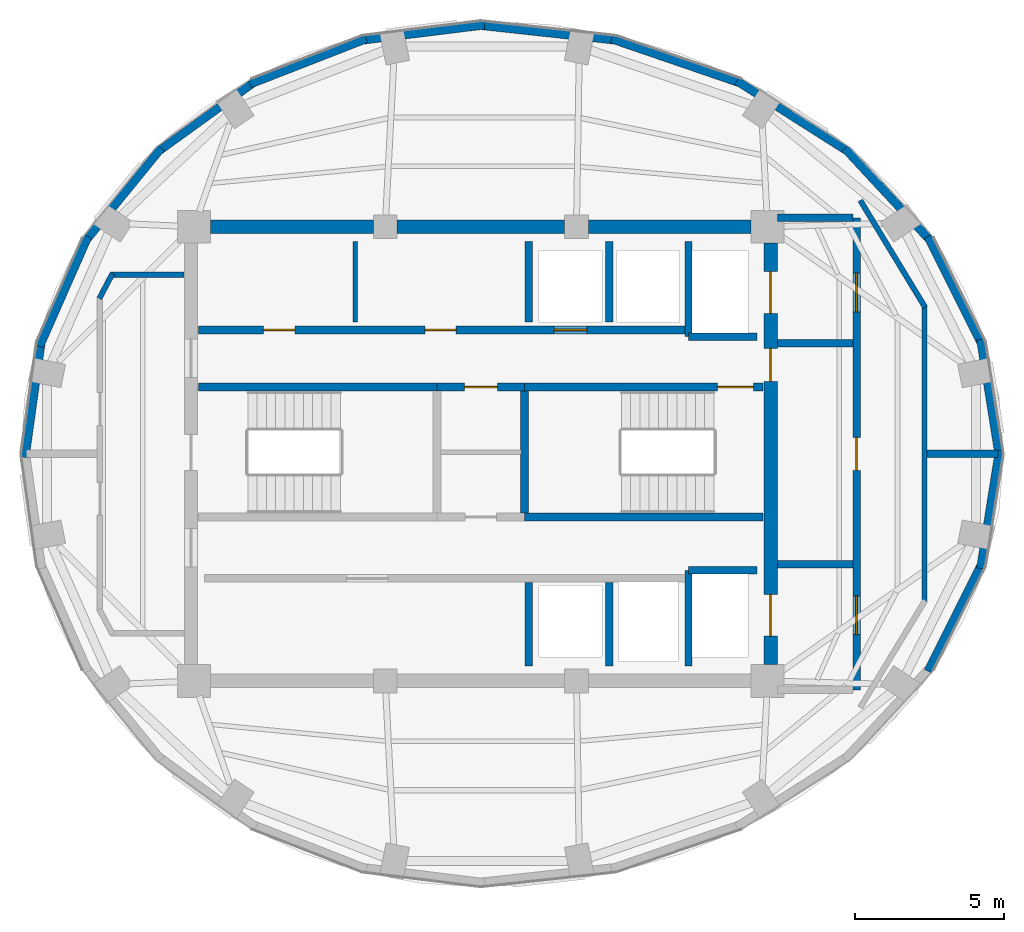
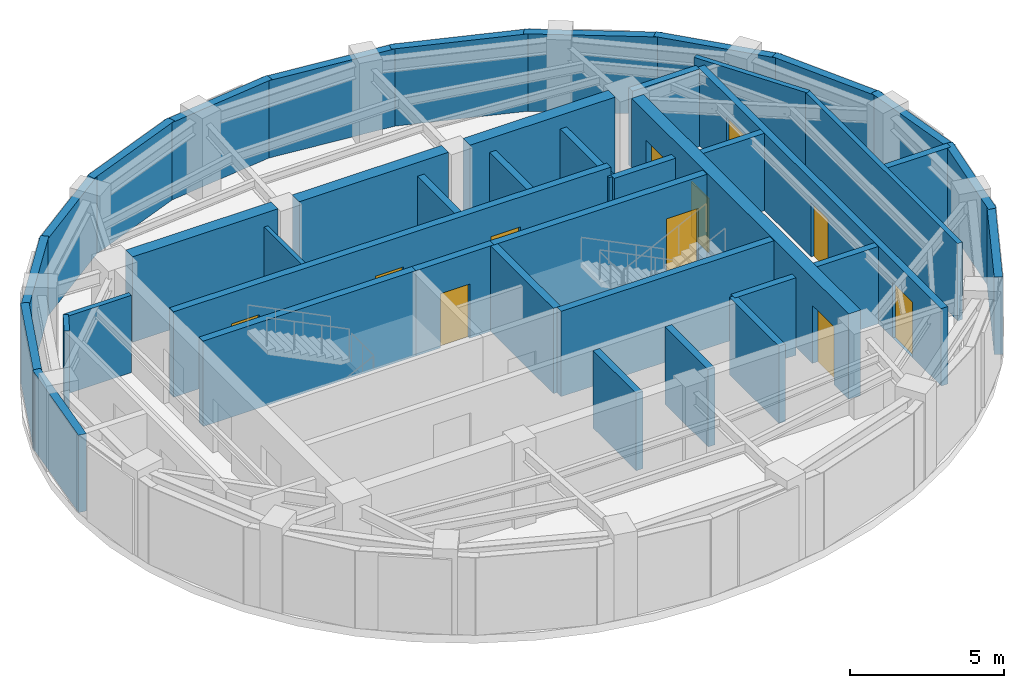
# One storey, part 3 of 5: 42 walls, 11 doors, 11 openings.
"""IFC4 building model written with IfcOpenShell, lengths in metres."""

import ifcopenshell
import ifcopenshell.guid

model = None  # the IFC model being written
_history = None  # IfcOwnerHistory: only IFC2X3 demands one
_inside = {}  # id of a spatial element -> (the spatial element, [elements in it])
_under = {}  # id of a project, library or spatial element -> (it, [spatial elements below it])
_declared = {}  # id of a project -> (the project, [libraries it declares])
_typed = {}  # id of a type object -> (the type object, [elements of that type])
_made_of = {}  # id of a material, layer set ... -> (it, [elements and type objects made of it])


def new_model(schema):
    """Start an empty IFC model of exactly this schema.

    Asked for "IFC4X3", IfcOpenShell would pick the latest addendum, in which some entities
    have other attributes; the version numbers below select the first issue.
    IFC2X3 requires an IfcOwnerHistory on every rooted entity: one is made here for all.
    """
    global model, _history
    if schema == "IFC4X3":
        model = ifcopenshell.file(schema_version=(4, 3, 0, 0))
    else:
        model = ifcopenshell.file(schema=schema)
    _inside.clear()
    _under.clear()
    _declared.clear()
    _typed.clear()
    _made_of.clear()
    _history = None
    if model.schema == "IFC2X3":
        org = make("IfcOrganization", Name="unknown")
        user = make(
            "IfcPersonAndOrganization",
            ThePerson=make("IfcPerson", FamilyName="unknown"),
            TheOrganization=org,
        )
        app = make(
            "IfcApplication",
            ApplicationDeveloper=org,
            Version="unknown",
            ApplicationFullName="unknown",
            ApplicationIdentifier="unknown",
        )
        _history = make(
            "IfcOwnerHistory",
            OwningUser=user,
            OwningApplication=app,
            ChangeAction="ADDED",
            CreationDate=0,
        )
    return model


def make(cls, **values):
    """One entity of the class cls with the attributes given. An attribute that is None is left unset."""
    return model.create_entity(
        cls, **{name: value for name, value in values.items() if value is not None}
    )


def rooted(cls, **values):
    """An entity with a GlobalId (a new one), such as an element, a storey or a relation."""
    return make(cls, GlobalId=ifcopenshell.guid.new(), OwnerHistory=_history, **values)


def si_unit(unit_type, name, prefix=None):
    """IfcSIUnit, for example si_unit("LENGTHUNIT", "METRE", prefix="MILLI")."""
    return make("IfcSIUnit", UnitType=unit_type, Prefix=prefix, Name=name)


def assignment(units):
    """IfcUnitAssignment: the units of a project."""
    return None if units is None else make("IfcUnitAssignment", Units=units)


def point(xyz):
    """IfcCartesianPoint."""
    return None if xyz is None else make("IfcCartesianPoint", Coordinates=xyz)


def direction(xyz):
    """IfcDirection."""
    return None if xyz is None else make("IfcDirection", DirectionRatios=xyz)


def frame(location, z_axis=None, x_axis=None):
    """IfcAxis2Placement3D, a coordinate frame: its origin and axes. An axis left out is left unset."""
    return make(
        "IfcAxis2Placement3D",
        Location=point(location),
        Axis=direction(z_axis),
        RefDirection=direction(x_axis),
    )


def frame_2d(location, x_axis=None):
    """IfcAxis2Placement2D, a coordinate frame in the plane: its origin and x axis."""
    return make(
        "IfcAxis2Placement2D", Location=point(location), RefDirection=direction(x_axis)
    )


def origin():
    """The frame at (0, 0, 0) with its axes left unset."""
    return frame((0.0, 0.0, 0.0))


def place(relative_to, where):
    """IfcLocalPlacement: puts the frame where relative to a parent placement (None: the world)."""
    return make(
        "IfcLocalPlacement", PlacementRelTo=relative_to, RelativePlacement=where
    )


def context(
    kind, dimensions, precision=None, world=None, true_north=None, identifier=None
):
    """IfcGeometricRepresentationContext, for example the 3D "Model" context."""
    return make(
        "IfcGeometricRepresentationContext",
        ContextIdentifier=identifier,
        ContextType=kind,
        CoordinateSpaceDimension=dimensions,
        Precision=precision,
        WorldCoordinateSystem=world,
        TrueNorth=true_north,
    )


def subcontext(parent, identifier, kind, view, scale=None):
    """IfcGeometricRepresentationSubContext, for example "Body" below "Model"."""
    return make(
        "IfcGeometricRepresentationSubContext",
        ContextIdentifier=identifier,
        ContextType=kind,
        ParentContext=parent,
        TargetScale=scale,
        TargetView=view,
    )


def project(units=None, contexts=None):
    """IfcProject with its units and contexts."""
    return rooted(
        "IfcProject",
        Name="project",
        RepresentationContexts=contexts,
        UnitsInContext=assignment(units),
    )


def spatial(cls, under=None, at=None, **own):
    """A site, building, storey or space (cls), placed at a placement, below another one or the project."""
    s = rooted(cls, ObjectPlacement=at, **own)
    if under is not None:
        _under.setdefault(under.id(), (under, []))[1].append(s)
    return s


def profile(cls, at=None, kind="AREA", **sizes):
    """A parametric profile (cls). Its sizes go by their IFC names, for example OverallWidth=200.0."""
    return make(cls, ProfileType=kind, Position=at, **sizes)


def rectangle(**sizes):
    """IfcRectangleProfileDef."""
    return profile("IfcRectangleProfileDef", **sizes)


def extrude(swept, where, along, depth):
    """IfcExtrudedAreaSolid: the profile swept, set in the frame where, extruded along a direction by depth."""
    return make(
        "IfcExtrudedAreaSolid",
        SweptArea=swept,
        Position=where,
        ExtrudedDirection=direction(along),
        Depth=depth,
    )


def shape(context_of_items, identifier, shape_type, items):
    """IfcShapeRepresentation: the items that make up one representation, for example the "Body"."""
    return make(
        "IfcShapeRepresentation",
        ContextOfItems=context_of_items,
        RepresentationIdentifier=identifier,
        RepresentationType=shape_type,
        Items=items,
    )


def material(Name=None, Category=None):
    """IfcMaterial."""
    return make("IfcMaterial", Name=Name, Category=Category)


def layer(
    of_material, thickness, ventilated=None, Name=None, Category=None, Priority=None
):
    """IfcMaterialLayer: one layer of a wall or slab, of a material (None: an air gap)."""
    return make(
        "IfcMaterialLayer",
        Material=of_material,
        LayerThickness=thickness,
        IsVentilated=ventilated,
        Name=Name,
        Category=Category,
        Priority=Priority,
    )


def layer_set(layers, Name=None):
    """IfcMaterialLayerSet."""
    return make("IfcMaterialLayerSet", MaterialLayers=layers, LayerSetName=Name)


def made_of(thing, what):
    """Note that an element or type object is made of a material, layer set ...; save() writes the relation."""
    if what is not None:
        _made_of.setdefault(what.id(), (what, []))[1].append(thing)
    return thing


def type_object(cls, material=None, **own):
    """A type object (cls), such as IfcWallType, which elements share."""
    return made_of(rooted(cls, **own), material)


def element(
    cls,
    number,
    at=None,
    inside=None,
    cuts=None,
    type_object=None,
    material=None,
    context=None,
    identifier="Body",
    shape_type=None,
    held_by="IfcProductDefinitionShape",
    body=None,
    shapes=None,
    **own,
):
    """One element of the class cls, such as IfcWall. Its Tag is "e" and its number.

    at: its placement. inside: the storey or other place that contains it. cuts: it is an
    opening in that element (IfcRelVoidsElement). A single representation is given by context,
    identifier, shape_type and body (its items); several are given by shapes. held_by: the class
    of the entity that holds the representations. save() writes the other relations.
    """
    e = rooted(cls, Tag="e%d" % number, ObjectPlacement=at, **own)
    if body is not None:
        shapes = [shape(context, identifier, shape_type, body)]
    if shapes is not None:
        e.Representation = make(held_by, Representations=shapes)
    if inside is not None:
        _inside.setdefault(inside.id(), (inside, []))[1].append(e)
    if cuts is not None:
        rooted(
            "IfcRelVoidsElement", RelatingBuildingElement=cuts, RelatedOpeningElement=e
        )
    if type_object is not None:
        _typed.setdefault(type_object.id(), (type_object, []))[1].append(e)
    return made_of(e, material)


def fill(opening, filler):
    """IfcRelFillsElement: the door or window that sits in an opening."""
    return rooted(
        "IfcRelFillsElement",
        RelatingOpeningElement=opening,
        RelatedBuildingElement=filler,
    )


def aggregate(whole, parts):
    """IfcRelAggregates: a whole, such as a stair, and the parts it consists of."""
    return rooted("IfcRelAggregates", RelatingObject=whole, RelatedObjects=parts)


def save(model, path):
    """Write the relations noted so far, then the file.

    IfcRelAggregates (storeys below a building ...), IfcRelContainedInSpatialStructure (elements
    in a storey), IfcRelDefinesByType, IfcRelAssociatesMaterial and IfcRelDeclares: one each for
    every whole, place, type object, material and project.
    """
    for whole, parts in _under.values():
        aggregate(whole, parts)
    for where, things in _inside.values():
        rooted(
            "IfcRelContainedInSpatialStructure",
            RelatedElements=things,
            RelatingStructure=where,
        )
    for kind, things in _typed.values():
        rooted("IfcRelDefinesByType", RelatedObjects=things, RelatingType=kind)
    for what, things in _made_of.values():
        rooted("IfcRelAssociatesMaterial", RelatedObjects=things, RelatingMaterial=what)
    for by, libraries in _declared.values():
        rooted("IfcRelDeclares", RelatingContext=by, RelatedDefinitions=libraries)
    model.write(path)


model = new_model("IFC4")

# Units and contexts
model_context = context("Model", 3, precision=1e-05, world=origin(), true_north=direction((0.0, 1.0)))
body_context = subcontext(model_context, "Body", "Model", "MODEL_VIEW")
ifc_project = project(units=[si_unit("LENGTHUNIT", "METRE"), si_unit("AREAUNIT", "SQUARE_METRE"), si_unit("VOLUMEUNIT", "CUBIC_METRE"), si_unit("PLANEANGLEUNIT", "RADIAN"), si_unit("MASSUNIT", "GRAM", prefix="KILO")], contexts=[model_context])

# Site, building, storey
site_placement = place(None, origin())
site = spatial("IfcSite", under=ifc_project, at=site_placement, CompositionType="ELEMENT")
building_placement = place(site_placement, origin())
building = spatial("IfcBuilding", under=site, at=building_placement, Name="Lazwardi Medical Tower", CompositionType="ELEMENT")
storey_placement = place(building_placement, frame((0.0, 0.0, 302.447998046875)))
storey = spatial("IfcBuildingStorey", under=building, at=storey_placement, Name="L79", CompositionType="ELEMENT", Elevation=302.447998046875)

# Walls
ifc_material_1 = material(Name="Fire-rated gypsum board on steel stud", Category="steel")
ifc_layer_1 = layer(ifc_material_1, 0.179931640625)
ifc_layer_set_1 = layer_set([ifc_layer_1], Name="Fire-rated gypsum board on steel stud")
wall_type_1 = type_object("IfcWallType", Name="WL-COR-180", PredefinedType="PARTITIONING", material=ifc_layer_set_1)
wall_1_placement = place(storey_placement, frame((48.69921875, 36.484619140625, 0.0), z_axis=(0.0, 0.0, 1.0), x_axis=(0.518614420457, -0.855008235571, 0.0)))
element("IfcWall", 1, at=wall_1_placement, inside=storey, type_object=wall_type_1, Name="L79 Corridor partition 1", PredefinedType="PARTITIONING", context=body_context, shape_type="SweptSolid", body=[
    extrude(rectangle(XDim=4.18701171875, YDim=0.179931640625, at=frame_2d((2.093505859375, 0.0))), origin(), (0.0, 0.0, 1.0), 3.068115234375),
])
wall_2_placement = place(storey_placement, frame((50.85009765625, 32.97900390625, 0.0), z_axis=(0.0, 0.0, 1.0), x_axis=(0.0, -1.0, 0.0)))
element("IfcWall", 2, at=wall_2_placement, inside=storey, type_object=wall_type_1, Name="L79 Corridor partition 2", PredefinedType="PARTITIONING", context=body_context, shape_type="SweptSolid", body=[
    extrude(rectangle(XDim=9.9580078125, YDim=0.179931640625, at=frame_2d((4.97900390625, 0.0))), origin(), (0.0, 0.0, 1.0), 3.068115234375),
])
wall_3_placement = place(storey_placement, frame((23.231201171875, 33.19921875, 0.0), z_axis=(0.0, 0.0, 1.0), x_axis=(0.466427533163, 0.884559413667, 0.0)))
element("IfcWall", 3, at=wall_3_placement, inside=storey, type_object=wall_type_1, Name="L79 Corridor partition 7", PredefinedType="PARTITIONING", context=body_context, shape_type="SweptSolid", body=[
    extrude(rectangle(XDim=0.9453125, YDim=0.179931640625, at=frame_2d((0.47265625, 0.0))), origin(), (0.0, 0.0, 1.0), 3.068115234375),
])
wall_4_placement = place(storey_placement, frame((23.613525390625, 34.0, 0.0), z_axis=(0.0, 0.0, 1.0), x_axis=(1.0, 0.0, 0.0)))
element("IfcWall", 4, at=wall_4_placement, inside=storey, type_object=wall_type_1, Name="L79 Corridor partition 8", PredefinedType="PARTITIONING", context=body_context, shape_type="SweptSolid", body=[
    extrude(rectangle(XDim=2.446533203125, YDim=0.179931640625, at=frame_2d((1.22314453125, 0.0))), origin(), (0.0, 0.0, 1.0), 3.068115234375),
])

# Wall, openings, doors
ifc_material_2 = material(Name="Concrete C60/75", Category="concrete")
ifc_layer_2 = layer(ifc_material_2, 0.449951171875)
ifc_layer_set_2 = layer_set([ifc_layer_2], Name="Concrete C60/75")
wall_type_2 = type_object("IfcWallType", Name="WL-CORE-450", PredefinedType="SHEAR", material=ifc_layer_set_2)
wall_5_placement = place(storey_placement, frame((45.699951171875, 20.949951171875, 0.0), z_axis=(0.0, 0.0, 1.0), x_axis=(0.0, 1.0, 0.0)))
wall_5 = element("IfcWall", 5, at=wall_5_placement, inside=storey, type_object=wall_type_2, Name="Core wall CW-S4 east L79", PredefinedType="SHEAR", context=body_context, shape_type="SweptSolid", body=[
    extrude(rectangle(XDim=14.10009765625, YDim=0.449951171875, at=frame_2d((7.050048828125, 0.0))), origin(), (0.0, 0.0, 1.0), 3.387939453125),
])
opening_1_placement = place(wall_5_placement, frame((11.75, 0.0, 0.0)))
opening_1 = element("IfcOpeningElement", 6, at=opening_1_placement, cuts=wall_5, Name="Opening LD-L79-001", PredefinedType="OPENING", context=body_context, shape_type="SweptSolid", body=[
    extrude(rectangle(XDim=1.39990234375, YDim=2.300048828125, at=frame_2d((0.699951171875, 1.14990234375))), frame((0.0, 0.23486328125, 0.0), z_axis=(0.0, -1.0, 0.0), x_axis=(1.0, 0.0, 0.0)), (0.0, 0.0, 1.0), 0.469970703125),
])
opening_2_placement = place(wall_5_placement, frame((0.949951171875, 0.0, 0.0)))
opening_2 = element("IfcOpeningElement", 7, at=opening_2_placement, cuts=wall_5, Name="Opening LD-L79-002", PredefinedType="OPENING", context=body_context, shape_type="SweptSolid", body=[
    extrude(rectangle(XDim=1.39990234375, YDim=2.300048828125, at=frame_2d((0.699951171875, 1.14990234375))), frame((0.0, 0.23486328125, 0.0), z_axis=(0.0, -1.0, 0.0), x_axis=(1.0, 0.0, 0.0)), (0.0, 0.0, 1.0), 0.469970703125),
])
opening_3_placement = place(wall_5_placement, frame((9.47998046875, 0.0, 0.0)))
opening_3 = element("IfcOpeningElement", 8, at=opening_3_placement, cuts=wall_5, Name="Opening D-L79-009", PredefinedType="OPENING", context=body_context, shape_type="SweptSolid", body=[
    extrude(rectangle(XDim=1.10009765625, YDim=2.14990234375, at=frame_2d((0.550048828125, 1.074951171875))), frame((0.0, 0.23486328125, 0.0), z_axis=(0.0, -1.0, 0.0), x_axis=(1.0, 0.0, 0.0)), (0.0, 0.0, 1.0), 0.469970703125),
])
ifc_material_3 = material(Name="Brushed stainless steel bed-lift landing door", Category="steel")
door_type_1 = type_object("IfcDoorType", Name="DR-LFT-1400", OperationType="NOTDEFINED", PredefinedType="DOOR", material=ifc_material_3)
door_1_placement = place(opening_1_placement, origin())
door_1 = element("IfcDoor", 9, at=door_1_placement, inside=storey, type_object=door_type_1, Name="L79 Lift Landing Door FL-01", OperationType="SLIDING_TO_LEFT", OverallHeight=2.300048828125, OverallWidth=1.39990234375, PredefinedType="DOOR", context=body_context, shape_type="SweptSolid", body=[
    extrude(rectangle(XDim=1.39990234375, YDim=2.300048828125, at=frame_2d((0.699951171875, 1.14990234375))), frame((0.0, 0.02490234375, 0.0), z_axis=(0.0, -1.0, 0.0), x_axis=(1.0, 0.0, 0.0)), (0.0, 0.0, 1.0), 0.050048828125),
])
fill(opening_1, door_1)
door_2_placement = place(opening_2_placement, origin())
door_2 = element("IfcDoor", 10, at=door_2_placement, inside=storey, type_object=door_type_1, Name="L79 Lift Landing Door FL-02", OperationType="SLIDING_TO_LEFT", OverallHeight=2.300048828125, OverallWidth=1.39990234375, PredefinedType="DOOR", context=body_context, shape_type="SweptSolid", body=[
    extrude(rectangle(XDim=1.39990234375, YDim=2.300048828125, at=frame_2d((0.699951171875, 1.14990234375))), frame((0.0, 0.02490234375, 0.0), z_axis=(0.0, -1.0, 0.0), x_axis=(1.0, 0.0, 0.0)), (0.0, 0.0, 1.0), 0.050048828125),
])
fill(opening_2, door_2)
ifc_material_4 = material(Name="Fire-rated steel leaf and frame", Category="steel")
door_type_2 = type_object("IfcDoorType", Name="DR-PLT-1100", OperationType="NOTDEFINED", PredefinedType="DOOR", material=ifc_material_4)
door_3_placement = place(opening_3_placement, origin())
door_3 = element("IfcDoor", 11, at=door_3_placement, inside=storey, type_object=door_type_2, Name="L79 Core Plant Lobby Transfer Door", OperationType="SINGLE_SWING_RIGHT", OverallHeight=2.14990234375, OverallWidth=1.10009765625, PredefinedType="DOOR", context=body_context, shape_type="SweptSolid", body=[
    extrude(rectangle(XDim=1.10009765625, YDim=2.14990234375, at=frame_2d((0.550048828125, 1.074951171875))), frame((0.0, 0.02490234375, 0.0), z_axis=(0.0, -1.0, 0.0), x_axis=(1.0, 0.0, 0.0)), (0.0, 0.0, 1.0), 0.050048828125),
])
fill(opening_3, door_3)

# Walls
wall_6_placement = place(storey_placement, frame((26.949951171875, 35.60009765625, 0.0), z_axis=(0.0, 0.0, 1.0), x_axis=(1.0, 0.0, 0.0)))
element("IfcWall", 12, at=wall_6_placement, inside=storey, type_object=wall_type_2, Name="Core wall CW-S4 N1 L79", PredefinedType="SHEAR", context=body_context, shape_type="SweptSolid", body=[
    extrude(rectangle(XDim=5.449951171875, YDim=0.449951171875, at=frame_2d((2.72509765625, 0.0))), origin(), (0.0, 0.0, 1.0), 3.387939453125),
])
wall_7_placement = place(storey_placement, frame((33.199951171875, 35.60009765625, 0.0), z_axis=(0.0, 0.0, 1.0), x_axis=(1.0, 0.0, 0.0)))
element("IfcWall", 13, at=wall_7_placement, inside=storey, type_object=wall_type_2, Name="Core wall CW-S4 N2 L79", PredefinedType="SHEAR", context=body_context, shape_type="SweptSolid", body=[
    extrude(rectangle(XDim=5.60009765625, YDim=0.449951171875, at=frame_2d((2.800048828125, 0.0))), origin(), (0.0, 0.0, 1.0), 3.387939453125),
])
wall_8_placement = place(storey_placement, frame((39.60009765625, 35.60009765625, 0.0), z_axis=(0.0, 0.0, 1.0), x_axis=(1.0, 0.0, 0.0)))
element("IfcWall", 14, at=wall_8_placement, inside=storey, type_object=wall_type_2, Name="Core wall CW-S4 N3 L79", PredefinedType="SHEAR", context=body_context, shape_type="SweptSolid", body=[
    extrude(rectangle(XDim=5.449951171875, YDim=0.449951171875, at=frame_2d((2.72509765625, 0.0))), origin(), (0.0, 0.0, 1.0), 3.387939453125),
])
ifc_material_5 = material(Name="Precast concrete C45/55", Category="concrete")
ifc_layer_3 = layer(ifc_material_5, 0.280029296875)
ifc_layer_set_3 = layer_set([ifc_layer_3], Name="Precast concrete C45/55")
wall_type_3 = type_object("IfcWallType", Name="WL-DRUM-280", PredefinedType="SOLIDWALL", material=ifc_layer_set_3)
wall_9_placement = place(storey_placement, frame((50.963134765625, 20.72265625, 0.0), z_axis=(0.0, 0.0, 1.0), x_axis=(0.447855311217, 0.894106045285, 0.0)))
element("IfcWall", 15, at=wall_9_placement, inside=storey, type_object=wall_type_3, Name="L79 Crown Plant Drum Wall 05", PredefinedType="SOLIDWALL", context=body_context, shape_type="SweptSolid", body=[
    extrude(rectangle(XDim=4.108154296875, YDim=0.280029296875, at=frame_2d((2.05419921875, 0.0))), origin(), (0.0, 0.0, 1.0), 3.068115234375),
])
for number, where, z_axis, x_axis, name in (
    (16, (52.730224609375, 24.169921875, 0.0), (0.0, 0.0, 1.0), (0.157235511094, 0.987561134336, 0.0), "L79 Crown Plant Drum Wall 06"),
    (17, (53.35888671875, 27.881591796875, 0.0), (0.0, 0.0, 1.0), (-0.157235511094, 0.987561134336, 0.0), "L79 Crown Plant Drum Wall 07"),
):
    element("IfcWall", number, at=place(storey_placement, frame(where, z_axis=z_axis, x_axis=x_axis)), inside=storey, type_object=wall_type_3, Name=name, PredefinedType="SOLIDWALL", context=body_context, shape_type="SweptSolid", body=[
        extrude(rectangle(XDim=3.998291015625, YDim=0.280029296875, at=frame_2d((1.9990234375, 0.0))), origin(), (0.0, 0.0, 1.0), 3.068115234375),
    ])
wall_10_placement = place(storey_placement, frame((52.802978515625, 31.604248046875, 0.0), z_axis=(0.0, 0.0, 1.0), x_axis=(-0.447855311217, 0.894106045285, 0.0)))
element("IfcWall", 18, at=wall_10_placement, inside=storey, type_object=wall_type_3, Name="L79 Crown Plant Drum Wall 08", PredefinedType="SOLIDWALL", context=body_context, shape_type="SweptSolid", body=[
    extrude(rectangle(XDim=4.108154296875, YDim=0.280029296875, at=frame_2d((2.05419921875, 0.0))), origin(), (0.0, 0.0, 1.0), 3.068115234375),
])
wall_11_placement = place(storey_placement, frame((51.098388671875, 35.08203125, 0.0), z_axis=(0.0, 0.0, 1.0), x_axis=(-0.680156447476, 0.733066986678, 0.0)))
element("IfcWall", 19, at=wall_11_placement, inside=storey, type_object=wall_type_3, Name="L79 Crown Plant Drum Wall 09", PredefinedType="SOLIDWALL", context=body_context, shape_type="SweptSolid", body=[
    extrude(rectangle(XDim=4.291259765625, YDim=0.280029296875, at=frame_2d((2.1455078125, 0.0))), origin(), (0.0, 0.0, 1.0), 3.068115234375),
])
wall_12_placement = place(storey_placement, frame((48.362548828125, 38.07568359375, 0.0), z_axis=(0.0, 0.0, 1.0), x_axis=(-0.84435210997, 0.535788684454, 0.0)))
element("IfcWall", 20, at=wall_12_placement, inside=storey, type_object=wall_type_3, Name="L79 Crown Plant Drum Wall 10", PredefinedType="SOLIDWALL", context=body_context, shape_type="SweptSolid", body=[
    extrude(rectangle(XDim=4.493408203125, YDim=0.280029296875, at=frame_2d((2.24658203125, 0.0))), origin(), (0.0, 0.0, 1.0), 3.068115234375),
])
wall_13_placement = place(storey_placement, frame((44.783447265625, 40.3798828125, 0.0), z_axis=(0.0, 0.0, 1.0), x_axis=(-0.946020767408, 0.324106012955, 0.0)))
element("IfcWall", 21, at=wall_13_placement, inside=storey, type_object=wall_type_3, Name="L79 Crown Plant Drum Wall 11", PredefinedType="SOLIDWALL", context=body_context, shape_type="SweptSolid", body=[
    extrude(rectangle(XDim=4.660400390625, YDim=0.280029296875, at=frame_2d((2.330078125, 0.0))), origin(), (0.0, 0.0, 1.0), 3.068115234375),
])
wall_14_placement = place(storey_placement, frame((40.607177734375, 41.83837890625, 0.0), z_axis=(0.0, 0.0, 1.0), x_axis=(-0.994124299368, 0.108244525985, 0.0)))
element("IfcWall", 22, at=wall_14_placement, inside=storey, type_object=wall_type_3, Name="L79 Crown Plant Drum Wall 12", PredefinedType="SOLIDWALL", context=body_context, shape_type="SweptSolid", body=[
    extrude(rectangle(XDim=4.75439453125, YDim=0.280029296875, at=frame_2d((2.377197265625, 0.0))), origin(), (0.0, 0.0, 1.0), 3.068115234375),
])
wall_15_placement = place(storey_placement, frame((36.119140625, 42.354736328125, 0.0), z_axis=(0.0, 0.0, 1.0), x_axis=(-0.992416279723, -0.122922446041, 0.0)))
element("IfcWall", 23, at=wall_15_placement, inside=storey, type_object=wall_type_3, Name="L79 Crown Plant Drum Wall 13", PredefinedType="SOLIDWALL", context=body_context, shape_type="SweptSolid", body=[
    extrude(rectangle(XDim=4.214599609375, YDim=0.280029296875, at=frame_2d((2.107421875, 0.0))), origin(), (0.0, 0.0, 1.0), 3.068115234375),
])
wall_16_placement = place(storey_placement, frame((32.16748046875, 41.89501953125, 0.0), z_axis=(0.0, 0.0, 1.0), x_axis=(-0.931727407844, -0.363158419249, 0.0)))
element("IfcWall", 24, at=wall_16_placement, inside=storey, type_object=wall_type_3, Name="L79 Crown Plant Drum Wall 14", PredefinedType="SOLIDWALL", context=body_context, shape_type="SweptSolid", body=[
    extrude(rectangle(XDim=4.184814453125, YDim=0.280029296875, at=frame_2d((2.09228515625, 0.0))), origin(), (0.0, 0.0, 1.0), 3.068115234375),
])
wall_17_placement = place(storey_placement, frame((28.477294921875, 40.489013671875, 0.0), z_axis=(0.0, 0.0, 1.0), x_axis=(-0.810749316968, -0.585393495895, 0.0)))
element("IfcWall", 25, at=wall_17_placement, inside=storey, type_object=wall_type_3, Name="L79 Crown Plant Drum Wall 15", PredefinedType="SOLIDWALL", context=body_context, shape_type="SweptSolid", body=[
    extrude(rectangle(XDim=4.133056640625, YDim=0.280029296875, at=frame_2d((2.06640625, 0.0))), origin(), (0.0, 0.0, 1.0), 3.068115234375),
])
wall_18_placement = place(storey_placement, frame((25.299560546875, 38.23291015625, 0.0), z_axis=(0.0, 0.0, 1.0), x_axis=(-0.631957150792, -0.775003328743, 0.0)))
element("IfcWall", 26, at=wall_18_placement, inside=storey, type_object=wall_type_3, Name="L79 Crown Plant Drum Wall 16", PredefinedType="SOLIDWALL", context=body_context, shape_type="SweptSolid", body=[
    extrude(rectangle(XDim=4.072265625, YDim=0.280029296875, at=frame_2d((2.0361328125, 0.0))), origin(), (0.0, 0.0, 1.0), 3.068115234375),
])
wall_19_placement = place(storey_placement, frame((22.85009765625, 35.27978515625, 0.0), z_axis=(0.0, 0.0, 1.0), x_axis=(-0.402911662576, -0.915238871639, 0.0)))
element("IfcWall", 27, at=wall_19_placement, inside=storey, type_object=wall_type_3, Name="L79 Crown Plant Drum Wall 17", PredefinedType="SOLIDWALL", context=body_context, shape_type="SweptSolid", body=[
    extrude(rectangle(XDim=4.0185546875, YDim=0.280029296875, at=frame_2d((2.00927734375, 0.0))), origin(), (0.0, 0.0, 1.0), 3.068115234375),
])
wall_20_placement = place(storey_placement, frame((21.2958984375, 31.830322265625, 0.0), z_axis=(0.0, 0.0, 1.0), x_axis=(-0.13854936703, -0.990355528533, 0.0)))
element("IfcWall", 28, at=wall_20_placement, inside=storey, type_object=wall_type_3, Name="L79 Crown Plant Drum Wall 18", PredefinedType="SOLIDWALL", context=body_context, shape_type="SweptSolid", body=[
    extrude(rectangle(XDim=3.98779296875, YDim=0.280029296875, at=frame_2d((1.993896484375, 0.0))), origin(), (0.0, 0.0, 1.0), 3.068115234375),
])
ifc_material_6 = material(Name="Autoclaved aerated concrete blockwork", Category="masonry")
ifc_layer_4 = layer(ifc_material_6, 0.25)
ifc_layer_set_4 = layer_set([ifc_layer_4], Name="Autoclaved aerated concrete blockwork")
wall_type_4 = type_object("IfcWallType", Name="WL-SHAFT-250", PredefinedType="SOLIDWALL", material=ifc_layer_set_4)
wall_21_placement = place(storey_placement, frame((42.949951171875, 31.919921875, 0.0), z_axis=(0.0, 0.0, 1.0), x_axis=(0.0, 1.0, 0.0)))
element("IfcWall", 29, at=wall_21_placement, inside=storey, type_object=wall_type_4, Name="L79 FL-01 West shaft wall", PredefinedType="SOLIDWALL", context=body_context, shape_type="SweptSolid", body=[
    extrude(rectangle(XDim=3.18017578125, YDim=0.25, at=frame_2d((1.590087890625, 0.0))), origin(), (0.0, 0.0, 1.0), 3.068115234375),
])
wall_22_placement = place(storey_placement, frame((42.949951171875, 31.919921875, 0.0), z_axis=(0.0, 0.0, 1.0), x_axis=(1.0, 0.0, 0.0)))
element("IfcWall", 30, at=wall_22_placement, inside=storey, type_object=wall_type_4, Name="L79 FL-01 South shaft wall", PredefinedType="SOLIDWALL", context=body_context, shape_type="SweptSolid", body=[
    extrude(rectangle(XDim=2.300048828125, YDim=0.25, at=frame_2d((1.14990234375, 0.0))), origin(), (0.0, 0.0, 1.0), 3.068115234375),
])
wall_23_placement = place(storey_placement, frame((42.949951171875, 20.89990234375, 0.0), z_axis=(0.0, 0.0, 1.0), x_axis=(0.0, 1.0, 0.0)))
element("IfcWall", 31, at=wall_23_placement, inside=storey, type_object=wall_type_4, Name="L79 FL-02 West shaft wall", PredefinedType="SOLIDWALL", context=body_context, shape_type="SweptSolid", body=[
    extrude(rectangle(XDim=3.2001953125, YDim=0.25, at=frame_2d((1.60009765625, 0.0))), origin(), (0.0, 0.0, 1.0), 3.068115234375),
])
wall_24_placement = place(storey_placement, frame((42.949951171875, 24.10009765625, 0.0), z_axis=(0.0, 0.0, 1.0), x_axis=(1.0, 0.0, 0.0)))
element("IfcWall", 32, at=wall_24_placement, inside=storey, type_object=wall_type_4, Name="L79 FL-02 North shaft wall", PredefinedType="SOLIDWALL", context=body_context, shape_type="SweptSolid", body=[
    extrude(rectangle(XDim=2.300048828125, YDim=0.25, at=frame_2d((1.14990234375, 0.0))), origin(), (0.0, 0.0, 1.0), 3.068115234375),
])
wall_25_placement = place(storey_placement, frame((37.60009765625, 32.419921875, 0.0), z_axis=(0.0, 0.0, 1.0), x_axis=(0.0, 1.0, 0.0)))
element("IfcWall", 33, at=wall_25_placement, inside=storey, type_object=wall_type_4, Name="L79 North hoistway divider", PredefinedType="SOLIDWALL", context=body_context, shape_type="SweptSolid", body=[
    extrude(rectangle(XDim=2.68017578125, YDim=0.25, at=frame_2d((1.340087890625, 0.0))), origin(), (0.0, 0.0, 1.0), 3.068115234375),
])
wall_26_placement = place(storey_placement, frame((37.60009765625, 20.89990234375, 0.0), z_axis=(0.0, 0.0, 1.0), x_axis=(0.0, 1.0, 0.0)))
element("IfcWall", 34, at=wall_26_placement, inside=storey, type_object=wall_type_4, Name="L79 South hoistway divider", PredefinedType="SOLIDWALL", context=body_context, shape_type="SweptSolid", body=[
    extrude(rectangle(XDim=2.800048828125, YDim=0.25, at=frame_2d((1.39990234375, 0.0))), origin(), (0.0, 0.0, 1.0), 3.068115234375),
])
wall_27_placement = place(storey_placement, frame((40.300048828125, 32.419921875, 0.0), z_axis=(0.0, 0.0, 1.0), x_axis=(0.0, 1.0, 0.0)))
element("IfcWall", 35, at=wall_27_placement, inside=storey, type_object=wall_type_4, Name="L79 North hoistway divider", PredefinedType="SOLIDWALL", context=body_context, shape_type="SweptSolid", body=[
    extrude(rectangle(XDim=2.68017578125, YDim=0.25, at=frame_2d((1.340087890625, 0.0))), origin(), (0.0, 0.0, 1.0), 3.068115234375),
])
wall_28_placement = place(storey_placement, frame((40.300048828125, 20.89990234375, 0.0), z_axis=(0.0, 0.0, 1.0), x_axis=(0.0, 1.0, 0.0)))
element("IfcWall", 36, at=wall_28_placement, inside=storey, type_object=wall_type_4, Name="L79 South hoistway divider", PredefinedType="SOLIDWALL", context=body_context, shape_type="SweptSolid", body=[
    extrude(rectangle(XDim=2.800048828125, YDim=0.25, at=frame_2d((1.39990234375, 0.0))), origin(), (0.0, 0.0, 1.0), 3.068115234375),
])

# Wall, openings, doors
wall_29_placement = place(storey_placement, frame((48.580078125, 20.10009765625, 0.0), z_axis=(0.0, 0.0, 1.0), x_axis=(0.0, 1.0, 0.0)))
wall_29 = element("IfcWall", 37, at=wall_29_placement, inside=storey, type_object=wall_type_4, Name="L79 Crown FFL East wall", PredefinedType="SOLIDWALL", context=body_context, shape_type="SweptSolid", body=[
    extrude(rectangle(XDim=15.7998046875, YDim=0.25, at=frame_2d((7.89990234375, 0.0))), origin(), (0.0, 0.0, 1.0), 3.068115234375),
])
opening_4_placement = place(wall_29_placement, frame((12.64990234375, 0.0, 0.0)))
opening_4 = element("IfcOpeningElement", 38, at=opening_4_placement, cuts=wall_29, Name="Opening D-L79-007", PredefinedType="OPENING", context=body_context, shape_type="SweptSolid", body=[
    extrude(rectangle(XDim=1.300048828125, YDim=2.199951171875, at=frame_2d((0.64990234375, 1.10009765625))), frame((0.0, 0.135009765625, 0.0), z_axis=(0.0, -1.0, 0.0), x_axis=(1.0, 0.0, 0.0)), (0.0, 0.0, 1.0), 0.27001953125),
])
opening_5_placement = place(wall_29_placement, frame((7.35009765625, 0.0, 0.0)))
opening_5 = element("IfcOpeningElement", 39, at=opening_5_placement, cuts=wall_29, Name="Opening D-L79-003", PredefinedType="OPENING", context=body_context, shape_type="SweptSolid", body=[
    extrude(rectangle(XDim=1.10009765625, YDim=2.14990234375, at=frame_2d((0.550048828125, 1.074951171875))), frame((0.0, 0.135009765625, 0.0), z_axis=(0.0, -1.0, 0.0), x_axis=(1.0, 0.0, 0.0)), (0.0, 0.0, 1.0), 0.27001953125),
])
opening_6_placement = place(wall_29_placement, frame((1.85009765625, 0.0, 0.0)))
opening_6 = element("IfcOpeningElement", 40, at=opening_6_placement, cuts=wall_29, Name="Opening D-L79-008", PredefinedType="OPENING", context=body_context, shape_type="SweptSolid", body=[
    extrude(rectangle(XDim=1.300048828125, YDim=2.199951171875, at=frame_2d((0.64990234375, 1.10009765625))), frame((0.0, 0.135009765625, 0.0), z_axis=(0.0, -1.0, 0.0), x_axis=(1.0, 0.0, 0.0)), (0.0, 0.0, 1.0), 0.27001953125),
])
door_type_3 = type_object("IfcDoorType", Name="DR-FFL-1300", OperationType="NOTDEFINED", PredefinedType="DOOR", material=ifc_material_4)
door_4_placement = place(opening_4_placement, origin())
door_4 = element("IfcDoor", 41, at=door_4_placement, inside=storey, type_object=door_type_3, Name="L79 FFL North Door", OperationType="SINGLE_SWING_LEFT", OverallHeight=2.199951171875, OverallWidth=1.300048828125, PredefinedType="DOOR", context=body_context, shape_type="SweptSolid", body=[
    extrude(rectangle(XDim=1.300048828125, YDim=2.199951171875, at=frame_2d((0.64990234375, 1.10009765625))), frame((0.0, 0.02490234375, 0.0), z_axis=(0.0, -1.0, 0.0), x_axis=(1.0, 0.0, 0.0)), (0.0, 0.0, 1.0), 0.050048828125),
])
fill(opening_4, door_4)
door_5_placement = place(opening_6_placement, origin())
door_5 = element("IfcDoor", 42, at=door_5_placement, inside=storey, type_object=door_type_3, Name="L79 FFL South Door", OperationType="SINGLE_SWING_LEFT", OverallHeight=2.199951171875, OverallWidth=1.300048828125, PredefinedType="DOOR", context=body_context, shape_type="SweptSolid", body=[
    extrude(rectangle(XDim=1.300048828125, YDim=2.199951171875, at=frame_2d((0.64990234375, 1.10009765625))), frame((0.0, 0.02490234375, 0.0), z_axis=(0.0, -1.0, 0.0), x_axis=(1.0, 0.0, 0.0)), (0.0, 0.0, 1.0), 0.050048828125),
])
fill(opening_6, door_5)
door_6_placement = place(opening_5_placement, origin())
door_6 = element("IfcDoor", 43, at=door_6_placement, inside=storey, type_object=door_type_2, Name="L79 Plant Lobby Door", OperationType="SINGLE_SWING_RIGHT", OverallHeight=2.14990234375, OverallWidth=1.10009765625, PredefinedType="DOOR", context=body_context, shape_type="SweptSolid", body=[
    extrude(rectangle(XDim=1.10009765625, YDim=2.14990234375, at=frame_2d((0.550048828125, 1.074951171875))), frame((0.0, 0.02490234375, 0.0), z_axis=(0.0, -1.0, 0.0), x_axis=(1.0, 0.0, 0.0)), (0.0, 0.0, 1.0), 0.050048828125),
])
fill(opening_5, door_6)

# Walls
for number, where, z_axis, x_axis, name in (
    (44, (45.929931640625, 35.89990234375, 0.0), (0.0, 0.0, 1.0), (1.0, 0.0, 0.0), "L79 Crown FFL-N North wall"),
    (45, (45.929931640625, 31.699951171875, 0.0), (0.0, 0.0, 1.0), (1.0, 0.0, 0.0), "L79 Crown FFL-N South wall"),
    (46, (45.929931640625, 24.300048828125, 0.0), (0.0, 0.0, 1.0), (1.0, 0.0, 0.0), "L79 Crown FFL-S North wall"),
):
    element("IfcWall", number, at=place(storey_placement, frame(where, z_axis=z_axis, x_axis=x_axis)), inside=storey, type_object=wall_type_4, Name=name, PredefinedType="SOLIDWALL", context=body_context, shape_type="SweptSolid", body=[
        extrude(rectangle(XDim=2.52001953125, YDim=0.25, at=frame_2d((1.260009765625, 0.0))), origin(), (0.0, 0.0, 1.0), 3.068115234375),
    ])
wall_30_placement = place(storey_placement, frame((50.93994140625, 28.0, 0.0), z_axis=(0.0, 0.0, 1.0), x_axis=(1.0, 0.0, 0.0)))
element("IfcWall", 47, at=wall_30_placement, inside=storey, type_object=wall_type_4, Name="L79 Room partition 2", PredefinedType="SOLIDWALL", context=body_context, shape_type="SweptSolid", body=[
    extrude(rectangle(XDim=2.364990234375, YDim=0.25, at=frame_2d((1.1826171875, 0.0))), origin(), (0.0, 0.0, 1.0), 3.068115234375),
])
ifc_material_7 = material(Name="Concrete C50/60", Category="concrete")
ifc_layer_5 = layer(ifc_material_7, 0.27001953125)
ifc_layer_set_5 = layer_set([ifc_layer_5], Name="Concrete C50/60")
wall_type_5 = type_object("IfcWallType", Name="WL-STR-250", PredefinedType="SHEAR", material=ifc_layer_set_5)
wall_31_placement = place(storey_placement, frame((26.550048828125, 30.235107421875, 0.0), z_axis=(0.0, 0.0, 1.0), x_axis=(1.0, 0.0, 0.0)))
element("IfcWall", 48, at=wall_31_placement, inside=storey, type_object=wall_type_5, Name="L79 ST1 North shear shaft wall SW-S1", PredefinedType="SHEAR", context=body_context, shape_type="SweptSolid", body=[
    extrude(rectangle(XDim=7.98486328125, YDim=0.27001953125, at=frame_2d((3.992431640625, 0.0))), origin(), (0.0, 0.0, 1.0), 3.387939453125),
])

# Wall, opening, door
wall_32_placement = place(storey_placement, frame((34.534912109375, 30.235107421875, 0.0), z_axis=(0.0, 0.0, 1.0), x_axis=(1.0, 0.0, 0.0)))
wall_32 = element("IfcWall", 49, at=wall_32_placement, inside=storey, type_object=wall_type_5, Name="L79 Core service North shear wall SW-S1", PredefinedType="SHEAR", context=body_context, shape_type="SweptSolid", body=[
    extrude(rectangle(XDim=2.93017578125, YDim=0.27001953125, at=frame_2d((1.465087890625, 0.0))), origin(), (0.0, 0.0, 1.0), 3.387939453125),
])
opening_7_placement = place(wall_32_placement, frame((0.9150390625, 0.0, 0.0)))
opening_7 = element("IfcOpeningElement", 50, at=opening_7_placement, cuts=wall_32, Name="Opening D-L79-002", PredefinedType="OPENING", context=body_context, shape_type="SweptSolid", body=[
    extrude(rectangle(XDim=1.10009765625, YDim=2.14990234375, at=frame_2d((0.550048828125, 1.074951171875))), frame((0.0, 0.14501953125, 0.0), z_axis=(0.0, -1.0, 0.0), x_axis=(1.0, 0.0, 0.0)), (0.0, 0.0, 1.0), 0.2900390625),
])
door_7_placement = place(opening_7_placement, origin())
door_7 = element("IfcDoor", 51, at=door_7_placement, inside=storey, type_object=door_type_2, Name="L79 Electrical Room Door", OperationType="SINGLE_SWING_RIGHT", OverallHeight=2.14990234375, OverallWidth=1.10009765625, PredefinedType="DOOR", context=body_context, shape_type="SweptSolid", body=[
    extrude(rectangle(XDim=1.10009765625, YDim=2.14990234375, at=frame_2d((0.550048828125, 1.074951171875))), frame((0.0, 0.02490234375, 0.0), z_axis=(0.0, -1.0, 0.0), x_axis=(1.0, 0.0, 0.0)), (0.0, 0.0, 1.0), 0.050048828125),
])
fill(opening_7, door_7)

wall_33_placement = place(storey_placement, frame((37.465087890625, 30.235107421875, 0.0), z_axis=(0.0, 0.0, 1.0), x_axis=(1.0, 0.0, 0.0)))
wall_33 = element("IfcWall", 52, at=wall_33_placement, inside=storey, type_object=wall_type_5, Name="L79 ST2 North shear shaft wall SW-S1", PredefinedType="SHEAR", context=body_context, shape_type="SweptSolid", body=[
    extrude(rectangle(XDim=7.98486328125, YDim=0.27001953125, at=frame_2d((3.992431640625, 0.0))), origin(), (0.0, 0.0, 1.0), 3.387939453125),
])
opening_8_placement = place(wall_33_placement, frame((6.455078125, 0.0, 0.0)))
opening_8 = element("IfcOpeningElement", 53, at=opening_8_placement, cuts=wall_33, Name="Opening D-L79-015", PredefinedType="OPENING", context=body_context, shape_type="SweptSolid", body=[
    extrude(rectangle(XDim=1.199951171875, YDim=2.14990234375, at=frame_2d((0.60009765625, 1.074951171875))), frame((0.0, 0.14501953125, 0.0), z_axis=(0.0, -1.0, 0.0), x_axis=(1.0, 0.0, 0.0)), (0.0, 0.0, 1.0), 0.2900390625),
])
door_type_4 = type_object("IfcDoorType", Name="DR-STR-1200", OperationType="NOTDEFINED", PredefinedType="DOOR", material=ifc_material_4)
door_8_placement = place(opening_8_placement, origin())
door_8 = element("IfcDoor", 54, at=door_8_placement, inside=storey, type_object=door_type_4, Name="L79 Exit Stair ST2 Door", OperationType="SINGLE_SWING_RIGHT", OverallHeight=2.14990234375, OverallWidth=1.199951171875, PredefinedType="DOOR", context=body_context, shape_type="SweptSolid", body=[
    extrude(rectangle(XDim=1.199951171875, YDim=2.14990234375, at=frame_2d((0.60009765625, 1.074951171875))), frame((0.0, 0.02490234375, 0.0), z_axis=(0.0, -1.0, 0.0), x_axis=(1.0, 0.0, 0.0)), (0.0, 0.0, 1.0), 0.050048828125),
])
fill(opening_8, door_8)

# Walls
wall_34_placement = place(storey_placement, frame((37.465087890625, 25.885009765625, 0.0), z_axis=(0.0, 0.0, 1.0), x_axis=(1.0, 0.0, 0.0)))
element("IfcWall", 55, at=wall_34_placement, inside=storey, type_object=wall_type_5, Name="L79 ST2 South shear shaft wall SW-S1", PredefinedType="SHEAR", context=body_context, shape_type="SweptSolid", body=[
    extrude(rectangle(XDim=7.98486328125, YDim=0.27001953125, at=frame_2d((3.992431640625, 0.0))), origin(), (0.0, 0.0, 1.0), 3.387939453125),
])
wall_35_placement = place(storey_placement, frame((37.465087890625, 26.02001953125, 0.0), z_axis=(0.0, 0.0, 1.0), x_axis=(0.0, 1.0, 0.0)))
element("IfcWall", 56, at=wall_35_placement, inside=storey, type_object=wall_type_5, Name="L79 ST2 West shear shaft wall SW-S1", PredefinedType="SHEAR", context=body_context, shape_type="SweptSolid", body=[
    extrude(rectangle(XDim=4.080078125, YDim=0.27001953125, at=frame_2d((2.0400390625, 0.0))), origin(), (0.0, 0.0, 1.0), 3.387939453125),
])

# Wall, openings, doors
wall_36_placement = place(storey_placement, frame((26.550048828125, 32.14990234375, 0.0), z_axis=(0.0, 0.0, 1.0), x_axis=(1.0, 0.0, 0.0)))
wall_36 = element("IfcWall", 57, at=wall_36_placement, inside=storey, type_object=wall_type_5, Name="L79 North lift bank shear wall SW-S1", PredefinedType="SHEAR", context=body_context, shape_type="SweptSolid", body=[
    extrude(rectangle(XDim=16.39990234375, YDim=0.27001953125, at=frame_2d((8.199951171875, 0.0))), origin(), (0.0, 0.0, 1.0), 3.387939453125),
])
opening_9_placement = place(wall_36_placement, frame((2.175048828125, 0.0, 0.0)))
opening_9 = element("IfcOpeningElement", 58, at=opening_9_placement, cuts=wall_36, Name="Opening D-L79-004", PredefinedType="OPENING", context=body_context, shape_type="SweptSolid", body=[
    extrude(rectangle(XDim=1.050048828125, YDim=2.14990234375, at=frame_2d((0.52490234375, 1.074951171875))), frame((0.0, 0.14501953125, 0.0), z_axis=(0.0, -1.0, 0.0), x_axis=(1.0, 0.0, 0.0)), (0.0, 0.0, 1.0), 0.2900390625),
])
opening_10_placement = place(wall_36_placement, frame((7.574951171875, 0.0, 0.0)))
opening_10 = element("IfcOpeningElement", 59, at=opening_10_placement, cuts=wall_36, Name="Opening D-L79-005", PredefinedType="OPENING", context=body_context, shape_type="SweptSolid", body=[
    extrude(rectangle(XDim=1.050048828125, YDim=2.14990234375, at=frame_2d((0.52490234375, 1.074951171875))), frame((0.0, 0.14501953125, 0.0), z_axis=(0.0, -1.0, 0.0), x_axis=(1.0, 0.0, 0.0)), (0.0, 0.0, 1.0), 0.2900390625),
])
opening_11_placement = place(wall_36_placement, frame((11.89990234375, 0.0, 0.0)))
opening_11 = element("IfcOpeningElement", 60, at=opening_11_placement, cuts=wall_36, Name="Opening LD-L79-003", PredefinedType="OPENING", context=body_context, shape_type="SweptSolid", body=[
    extrude(rectangle(XDim=1.10009765625, YDim=2.199951171875, at=frame_2d((0.550048828125, 1.10009765625))), frame((0.0, 0.14501953125, 0.0), z_axis=(0.0, -1.0, 0.0), x_axis=(1.0, 0.0, 0.0)), (0.0, 0.0, 1.0), 0.2900390625),
])
ifc_material_8 = material(Name="Anti-microbial laminate hospital leaf")
door_type_5 = type_object("IfcDoorType", Name="DR-CLN-1050", OperationType="NOTDEFINED", PredefinedType="DOOR", material=ifc_material_8)
door_9_placement = place(opening_9_placement, origin())
door_9 = element("IfcDoor", 61, at=door_9_placement, inside=storey, type_object=door_type_5, Name="L79 Core Consult Door", OperationType="SINGLE_SWING_LEFT", OverallHeight=2.14990234375, OverallWidth=1.050048828125, PredefinedType="DOOR", context=body_context, shape_type="SweptSolid", body=[
    extrude(rectangle(XDim=1.050048828125, YDim=2.14990234375, at=frame_2d((0.52490234375, 1.074951171875))), frame((0.0, 0.02490234375, 0.0), z_axis=(0.0, -1.0, 0.0), x_axis=(1.0, 0.0, 0.0)), (0.0, 0.0, 1.0), 0.050048828125),
])
fill(opening_9, door_9)
door_10_placement = place(opening_10_placement, origin())
door_10 = element("IfcDoor", 62, at=door_10_placement, inside=storey, type_object=door_type_5, Name="L79 Core Pharmacy Door", OperationType="SINGLE_SWING_RIGHT", OverallHeight=2.14990234375, OverallWidth=1.050048828125, PredefinedType="DOOR", context=body_context, shape_type="SweptSolid", body=[
    extrude(rectangle(XDim=1.050048828125, YDim=2.14990234375, at=frame_2d((0.52490234375, 1.074951171875))), frame((0.0, 0.02490234375, 0.0), z_axis=(0.0, -1.0, 0.0), x_axis=(1.0, 0.0, 0.0)), (0.0, 0.0, 1.0), 0.050048828125),
])
fill(opening_10, door_10)
ifc_material_9 = material(Name="Brushed bronze stainless steel landing door", Category="steel")
door_type_6 = type_object("IfcDoorType", Name="DR-LFT-1100", OperationType="NOTDEFINED", PredefinedType="DOOR", material=ifc_material_9)
door_11_placement = place(opening_11_placement, origin())
door_11 = element("IfcDoor", 63, at=door_11_placement, inside=storey, type_object=door_type_6, Name="L79 Lift Landing Door PL-09", OperationType="SLIDING_TO_LEFT", OverallHeight=2.199951171875, OverallWidth=1.10009765625, PredefinedType="DOOR", context=body_context, shape_type="SweptSolid", body=[
    extrude(rectangle(XDim=1.10009765625, YDim=2.199951171875, at=frame_2d((0.550048828125, 1.10009765625))), frame((0.0, 0.02490234375, 0.0), z_axis=(0.0, -1.0, 0.0), x_axis=(1.0, 0.0, 0.0)), (0.0, 0.0, 1.0), 0.050048828125),
])
fill(opening_11, door_11)

# Wall
ifc_material_10 = material(Name="Acoustic gypsum board partition")
ifc_layer_6 = layer(ifc_material_10, 0.14990234375)
ifc_layer_set_6 = layer_set([ifc_layer_6], Name="Acoustic gypsum board partition")
wall_type_6 = type_object("IfcWallType", Name="WL-WRD-150", PredefinedType="PARTITIONING", material=ifc_layer_set_6)
wall_37_placement = place(storey_placement, frame((31.800048828125, 32.419921875, 0.0), z_axis=(0.0, 0.0, 1.0), x_axis=(0.0, 1.0, 0.0)))
element("IfcWall", 64, at=wall_37_placement, inside=storey, type_object=wall_type_6, Name="L79 Freed bay2 N split", PredefinedType="PARTITIONING", context=body_context, shape_type="SweptSolid", body=[
    extrude(rectangle(XDim=2.68017578125, YDim=0.14990234375, at=frame_2d((1.340087890625, 0.0))), origin(), (0.0, 0.0, 1.0), 3.068115234375),
])

save(model, "model.ifc")
